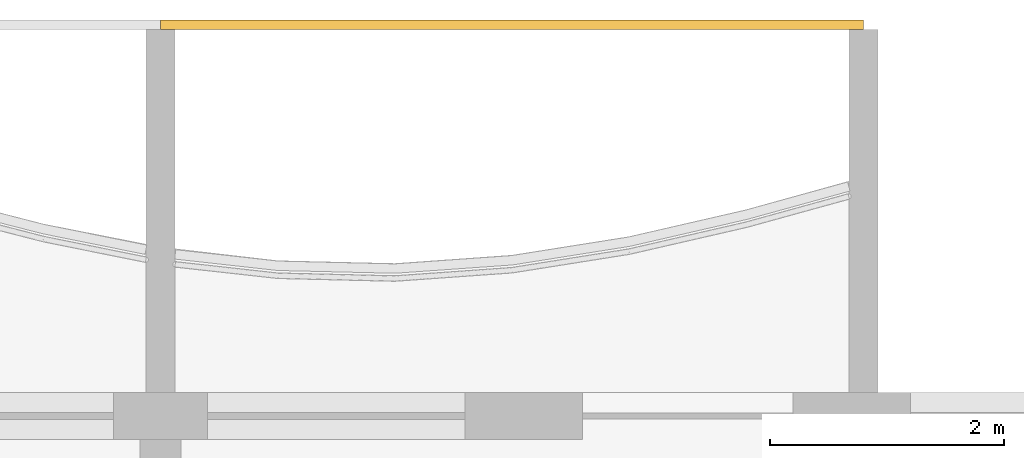
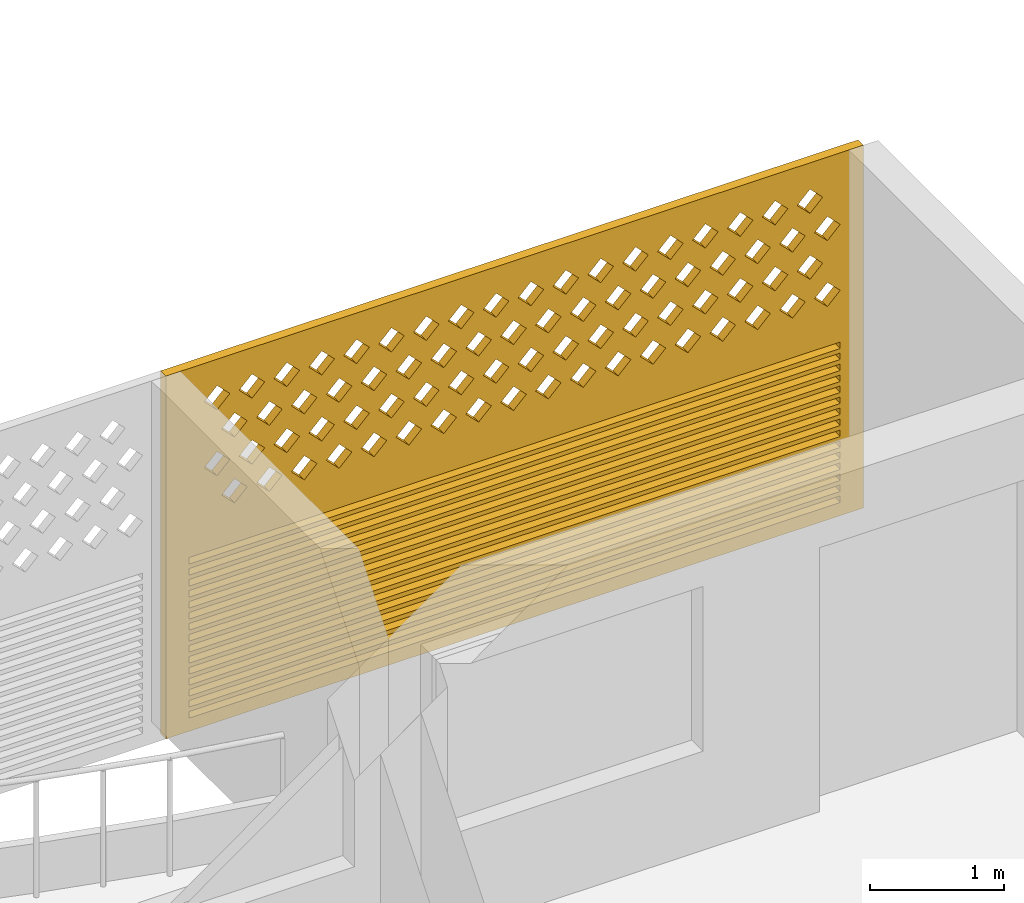
# One storey, part 21 of 24: 1 covering.
"""IFC4 building model written with IfcOpenShell, lengths in metres."""

from ifc_helpers import new_model, si_unit, direction, frame, origin, place, context, subcontext, project, spatial, polyline, outline, extrude, source, transform, mapped, material, material_profile, profile_set, type_object, element, save


model = new_model("IFC4")

# Units and contexts
model_context = context("Model", 3, precision=1e-05, world=origin(), true_north=direction((0.0, 1.0)))
body_context = subcontext(model_context, "Body", "Model", "MODEL_VIEW")
ifc_project = project(units=[si_unit("LENGTHUNIT", "METRE"), si_unit("AREAUNIT", "SQUARE_METRE"), si_unit("VOLUMEUNIT", "CUBIC_METRE"), si_unit("PLANEANGLEUNIT", "RADIAN"), si_unit("MASSUNIT", "GRAM", prefix="KILO")], contexts=[model_context])

# Site, building, storey
site_placement = place(None, origin())
site = spatial("IfcSite", under=ifc_project, at=site_placement, CompositionType="ELEMENT")
building_placement = place(site_placement, origin())
building = spatial("IfcBuilding", under=site, at=building_placement, Name="Poui Terraces", CompositionType="ELEMENT")
storey_placement = place(building_placement, frame((0.0, 0.0, 102.60009765625)))
storey = spatial("IfcBuildingStorey", under=building, at=storey_placement, Name="L28", CompositionType="ELEMENT", Elevation=102.60009765625)

# Covering
ifc_material = material(Name="Terracotta screen", Category="masonry")
ifc_material_profile = material_profile(ifc_material, outline(polyline([(-3.0, -1.64990234375), (3.0, -1.64990234375), (3.0, 1.64990234375), (-3.0, 1.64990234375), (-3.0, -1.64990234375)]), holes=[polyline([(-2.800048828125, 0.39990234375), (-2.68994140625, 0.2900390625), (-2.580078125, 0.39990234375), (-2.68994140625, 0.510009765625), (-2.800048828125, 0.39990234375)]), polyline([(-2.5, 0.39990234375), (-2.389892578125, 0.2900390625), (-2.280029296875, 0.39990234375), (-2.389892578125, 0.510009765625), (-2.5, 0.39990234375)]), polyline([(-2.199951171875, 0.39990234375), (-2.090087890625, 0.2900390625), (-1.97998046875, 0.39990234375), (-2.090087890625, 0.510009765625), (-2.199951171875, 0.39990234375)]), polyline([(-1.89990234375, 0.39990234375), (-1.7900390625, 0.2900390625), (-1.679931640625, 0.39990234375), (-1.7900390625, 0.510009765625), (-1.89990234375, 0.39990234375)]), polyline([(-1.60009765625, 0.39990234375), (-1.489990234375, 0.2900390625), (-1.3798828125, 0.39990234375), (-1.489990234375, 0.510009765625), (-1.60009765625, 0.39990234375)]), polyline([(-1.300048828125, 0.39990234375), (-1.18994140625, 0.2900390625), (-1.080078125, 0.39990234375), (-1.18994140625, 0.510009765625), (-1.300048828125, 0.39990234375)]), polyline([(-1.0, 0.39990234375), (-0.889892578125, 0.2900390625), (-0.780029296875, 0.39990234375), (-0.889892578125, 0.510009765625), (-1.0, 0.39990234375)]), polyline([(-0.699951171875, 0.39990234375), (-0.590087890625, 0.2900390625), (-0.47998046875, 0.39990234375), (-0.590087890625, 0.510009765625), (-0.699951171875, 0.39990234375)]), polyline([(-0.39990234375, 0.39990234375), (-0.2900390625, 0.2900390625), (-0.179931640625, 0.39990234375), (-0.2900390625, 0.510009765625), (-0.39990234375, 0.39990234375)]), polyline([(-0.10009765625, 0.39990234375), (0.010009765625, 0.2900390625), (0.1201171875, 0.39990234375), (0.010009765625, 0.510009765625), (-0.10009765625, 0.39990234375)]), polyline([(0.199951171875, 0.39990234375), (0.31005859375, 0.2900390625), (0.419921875, 0.39990234375), (0.31005859375, 0.510009765625), (0.199951171875, 0.39990234375)]), polyline([(0.5, 0.39990234375), (0.610107421875, 0.2900390625), (0.719970703125, 0.39990234375), (0.610107421875, 0.510009765625), (0.5, 0.39990234375)]), polyline([(0.800048828125, 0.39990234375), (0.909912109375, 0.2900390625), (1.02001953125, 0.39990234375), (0.909912109375, 0.510009765625), (0.800048828125, 0.39990234375)]), polyline([(1.10009765625, 0.39990234375), (1.2099609375, 0.2900390625), (1.320068359375, 0.39990234375), (1.2099609375, 0.510009765625), (1.10009765625, 0.39990234375)]), polyline([(1.39990234375, 0.39990234375), (1.510009765625, 0.2900390625), (1.6201171875, 0.39990234375), (1.510009765625, 0.510009765625), (1.39990234375, 0.39990234375)]), polyline([(1.699951171875, 0.39990234375), (1.81005859375, 0.2900390625), (1.919921875, 0.39990234375), (1.81005859375, 0.510009765625), (1.699951171875, 0.39990234375)]), polyline([(2.0, 0.39990234375), (2.110107421875, 0.2900390625), (2.219970703125, 0.39990234375), (2.110107421875, 0.510009765625), (2.0, 0.39990234375)]), polyline([(2.300048828125, 0.39990234375), (2.409912109375, 0.2900390625), (2.52001953125, 0.39990234375), (2.409912109375, 0.510009765625), (2.300048828125, 0.39990234375)]), polyline([(-2.64990234375, 0.699951171875), (-2.5400390625, 0.590087890625), (-2.429931640625, 0.699951171875), (-2.5400390625, 0.81005859375), (-2.64990234375, 0.699951171875)]), polyline([(-2.35009765625, 0.699951171875), (-2.239990234375, 0.590087890625), (-2.1298828125, 0.699951171875), (-2.239990234375, 0.81005859375), (-2.35009765625, 0.699951171875)]), polyline([(-2.050048828125, 0.699951171875), (-1.93994140625, 0.590087890625), (-1.830078125, 0.699951171875), (-1.93994140625, 0.81005859375), (-2.050048828125, 0.699951171875)]), polyline([(-1.75, 0.699951171875), (-1.639892578125, 0.590087890625), (-1.530029296875, 0.699951171875), (-1.639892578125, 0.81005859375), (-1.75, 0.699951171875)]), polyline([(-1.449951171875, 0.699951171875), (-1.340087890625, 0.590087890625), (-1.22998046875, 0.699951171875), (-1.340087890625, 0.81005859375), (-1.449951171875, 0.699951171875)]), polyline([(-1.14990234375, 0.699951171875), (-1.0400390625, 0.590087890625), (-0.929931640625, 0.699951171875), (-1.0400390625, 0.81005859375), (-1.14990234375, 0.699951171875)]), polyline([(-0.85009765625, 0.699951171875), (-0.739990234375, 0.590087890625), (-0.6298828125, 0.699951171875), (-0.739990234375, 0.81005859375), (-0.85009765625, 0.699951171875)]), polyline([(-0.550048828125, 0.699951171875), (-0.43994140625, 0.590087890625), (-0.330078125, 0.699951171875), (-0.43994140625, 0.81005859375), (-0.550048828125, 0.699951171875)]), polyline([(-0.25, 0.699951171875), (-0.139892578125, 0.590087890625), (-0.030029296875, 0.699951171875), (-0.139892578125, 0.81005859375), (-0.25, 0.699951171875)]), polyline([(0.050048828125, 0.699951171875), (0.159912109375, 0.590087890625), (0.27001953125, 0.699951171875), (0.159912109375, 0.81005859375), (0.050048828125, 0.699951171875)]), polyline([(0.35009765625, 0.699951171875), (0.4599609375, 0.590087890625), (0.570068359375, 0.699951171875), (0.4599609375, 0.81005859375), (0.35009765625, 0.699951171875)]), polyline([(0.64990234375, 0.699951171875), (0.760009765625, 0.590087890625), (0.8701171875, 0.699951171875), (0.760009765625, 0.81005859375), (0.64990234375, 0.699951171875)]), polyline([(0.949951171875, 0.699951171875), (1.06005859375, 0.590087890625), (1.169921875, 0.699951171875), (1.06005859375, 0.81005859375), (0.949951171875, 0.699951171875)]), polyline([(1.25, 0.699951171875), (1.360107421875, 0.590087890625), (1.469970703125, 0.699951171875), (1.360107421875, 0.81005859375), (1.25, 0.699951171875)]), polyline([(1.550048828125, 0.699951171875), (1.659912109375, 0.590087890625), (1.77001953125, 0.699951171875), (1.659912109375, 0.81005859375), (1.550048828125, 0.699951171875)]), polyline([(1.85009765625, 0.699951171875), (1.9599609375, 0.590087890625), (2.070068359375, 0.699951171875), (1.9599609375, 0.81005859375), (1.85009765625, 0.699951171875)]), polyline([(2.14990234375, 0.699951171875), (2.260009765625, 0.590087890625), (2.3701171875, 0.699951171875), (2.260009765625, 0.81005859375), (2.14990234375, 0.699951171875)]), polyline([(2.449951171875, 0.699951171875), (2.56005859375, 0.590087890625), (2.669921875, 0.699951171875), (2.56005859375, 0.81005859375), (2.449951171875, 0.699951171875)]), polyline([(-2.800048828125, 1.0), (-2.68994140625, 0.889892578125), (-2.580078125, 1.0), (-2.68994140625, 1.110107421875), (-2.800048828125, 1.0)]), polyline([(-2.5, 1.0), (-2.389892578125, 0.889892578125), (-2.280029296875, 1.0), (-2.389892578125, 1.110107421875), (-2.5, 1.0)]), polyline([(-2.199951171875, 1.0), (-2.090087890625, 0.889892578125), (-1.97998046875, 1.0), (-2.090087890625, 1.110107421875), (-2.199951171875, 1.0)]), polyline([(-1.89990234375, 1.0), (-1.7900390625, 0.889892578125), (-1.679931640625, 1.0), (-1.7900390625, 1.110107421875), (-1.89990234375, 1.0)]), polyline([(-1.60009765625, 1.0), (-1.489990234375, 0.889892578125), (-1.3798828125, 1.0), (-1.489990234375, 1.110107421875), (-1.60009765625, 1.0)]), polyline([(-1.300048828125, 1.0), (-1.18994140625, 0.889892578125), (-1.080078125, 1.0), (-1.18994140625, 1.110107421875), (-1.300048828125, 1.0)]), polyline([(-1.0, 1.0), (-0.889892578125, 0.889892578125), (-0.780029296875, 1.0), (-0.889892578125, 1.110107421875), (-1.0, 1.0)]), polyline([(-0.699951171875, 1.0), (-0.590087890625, 0.889892578125), (-0.47998046875, 1.0), (-0.590087890625, 1.110107421875), (-0.699951171875, 1.0)]), polyline([(-0.39990234375, 1.0), (-0.2900390625, 0.889892578125), (-0.179931640625, 1.0), (-0.2900390625, 1.110107421875), (-0.39990234375, 1.0)]), polyline([(-0.10009765625, 1.0), (0.010009765625, 0.889892578125), (0.1201171875, 1.0), (0.010009765625, 1.110107421875), (-0.10009765625, 1.0)]), polyline([(0.199951171875, 1.0), (0.31005859375, 0.889892578125), (0.419921875, 1.0), (0.31005859375, 1.110107421875), (0.199951171875, 1.0)]), polyline([(0.5, 1.0), (0.610107421875, 0.889892578125), (0.719970703125, 1.0), (0.610107421875, 1.110107421875), (0.5, 1.0)]), polyline([(0.800048828125, 1.0), (0.909912109375, 0.889892578125), (1.02001953125, 1.0), (0.909912109375, 1.110107421875), (0.800048828125, 1.0)]), polyline([(1.10009765625, 1.0), (1.2099609375, 0.889892578125), (1.320068359375, 1.0), (1.2099609375, 1.110107421875), (1.10009765625, 1.0)]), polyline([(1.39990234375, 1.0), (1.510009765625, 0.889892578125), (1.6201171875, 1.0), (1.510009765625, 1.110107421875), (1.39990234375, 1.0)]), polyline([(1.699951171875, 1.0), (1.81005859375, 0.889892578125), (1.919921875, 1.0), (1.81005859375, 1.110107421875), (1.699951171875, 1.0)]), polyline([(2.0, 1.0), (2.110107421875, 0.889892578125), (2.219970703125, 1.0), (2.110107421875, 1.110107421875), (2.0, 1.0)]), polyline([(2.300048828125, 1.0), (2.409912109375, 0.889892578125), (2.52001953125, 1.0), (2.409912109375, 1.110107421875), (2.300048828125, 1.0)]), polyline([(-2.64990234375, 1.300048828125), (-2.5400390625, 1.18994140625), (-2.429931640625, 1.300048828125), (-2.5400390625, 1.409912109375), (-2.64990234375, 1.300048828125)]), polyline([(-2.35009765625, 1.300048828125), (-2.239990234375, 1.18994140625), (-2.1298828125, 1.300048828125), (-2.239990234375, 1.409912109375), (-2.35009765625, 1.300048828125)]), polyline([(-2.050048828125, 1.300048828125), (-1.93994140625, 1.18994140625), (-1.830078125, 1.300048828125), (-1.93994140625, 1.409912109375), (-2.050048828125, 1.300048828125)]), polyline([(-1.75, 1.300048828125), (-1.639892578125, 1.18994140625), (-1.530029296875, 1.300048828125), (-1.639892578125, 1.409912109375), (-1.75, 1.300048828125)]), polyline([(-1.449951171875, 1.300048828125), (-1.340087890625, 1.18994140625), (-1.22998046875, 1.300048828125), (-1.340087890625, 1.409912109375), (-1.449951171875, 1.300048828125)]), polyline([(-1.14990234375, 1.300048828125), (-1.0400390625, 1.18994140625), (-0.929931640625, 1.300048828125), (-1.0400390625, 1.409912109375), (-1.14990234375, 1.300048828125)]), polyline([(-0.85009765625, 1.300048828125), (-0.739990234375, 1.18994140625), (-0.6298828125, 1.300048828125), (-0.739990234375, 1.409912109375), (-0.85009765625, 1.300048828125)]), polyline([(-0.550048828125, 1.300048828125), (-0.43994140625, 1.18994140625), (-0.330078125, 1.300048828125), (-0.43994140625, 1.409912109375), (-0.550048828125, 1.300048828125)]), polyline([(-0.25, 1.300048828125), (-0.139892578125, 1.18994140625), (-0.030029296875, 1.300048828125), (-0.139892578125, 1.409912109375), (-0.25, 1.300048828125)]), polyline([(0.050048828125, 1.300048828125), (0.159912109375, 1.18994140625), (0.27001953125, 1.300048828125), (0.159912109375, 1.409912109375), (0.050048828125, 1.300048828125)]), polyline([(0.35009765625, 1.300048828125), (0.4599609375, 1.18994140625), (0.570068359375, 1.300048828125), (0.4599609375, 1.409912109375), (0.35009765625, 1.300048828125)]), polyline([(0.64990234375, 1.300048828125), (0.760009765625, 1.18994140625), (0.8701171875, 1.300048828125), (0.760009765625, 1.409912109375), (0.64990234375, 1.300048828125)]), polyline([(0.949951171875, 1.300048828125), (1.06005859375, 1.18994140625), (1.169921875, 1.300048828125), (1.06005859375, 1.409912109375), (0.949951171875, 1.300048828125)]), polyline([(1.25, 1.300048828125), (1.360107421875, 1.18994140625), (1.469970703125, 1.300048828125), (1.360107421875, 1.409912109375), (1.25, 1.300048828125)]), polyline([(1.550048828125, 1.300048828125), (1.659912109375, 1.18994140625), (1.77001953125, 1.300048828125), (1.659912109375, 1.409912109375), (1.550048828125, 1.300048828125)]), polyline([(1.85009765625, 1.300048828125), (1.9599609375, 1.18994140625), (2.070068359375, 1.300048828125), (1.9599609375, 1.409912109375), (1.85009765625, 1.300048828125)]), polyline([(2.14990234375, 1.300048828125), (2.260009765625, 1.18994140625), (2.3701171875, 1.300048828125), (2.260009765625, 1.409912109375), (2.14990234375, 1.300048828125)]), polyline([(2.449951171875, 1.300048828125), (2.56005859375, 1.18994140625), (2.669921875, 1.300048828125), (2.56005859375, 1.409912109375), (2.449951171875, 1.300048828125)]), polyline([(-2.800048828125, -1.530029296875), (2.800048828125, -1.530029296875), (2.800048828125, -1.469970703125), (-2.800048828125, -1.469970703125), (-2.800048828125, -1.530029296875)]), polyline([(-2.800048828125, -1.429931640625), (2.800048828125, -1.429931640625), (2.800048828125, -1.3701171875), (-2.800048828125, -1.3701171875), (-2.800048828125, -1.429931640625)]), polyline([(-2.800048828125, -1.330078125), (2.800048828125, -1.330078125), (2.800048828125, -1.27001953125), (-2.800048828125, -1.27001953125), (-2.800048828125, -1.330078125)]), polyline([(-2.800048828125, -1.22998046875), (2.800048828125, -1.22998046875), (2.800048828125, -1.169921875), (-2.800048828125, -1.169921875), (-2.800048828125, -1.22998046875)]), polyline([(-2.800048828125, -1.1298828125), (2.800048828125, -1.1298828125), (2.800048828125, -1.070068359375), (-2.800048828125, -1.070068359375), (-2.800048828125, -1.1298828125)]), polyline([(-2.800048828125, -1.030029296875), (2.800048828125, -1.030029296875), (2.800048828125, -0.969970703125), (-2.800048828125, -0.969970703125), (-2.800048828125, -1.030029296875)]), polyline([(-2.800048828125, -0.929931640625), (2.800048828125, -0.929931640625), (2.800048828125, -0.8701171875), (-2.800048828125, -0.8701171875), (-2.800048828125, -0.929931640625)]), polyline([(-2.800048828125, -0.830078125), (2.800048828125, -0.830078125), (2.800048828125, -0.77001953125), (-2.800048828125, -0.77001953125), (-2.800048828125, -0.830078125)]), polyline([(-2.800048828125, -0.72998046875), (2.800048828125, -0.72998046875), (2.800048828125, -0.669921875), (-2.800048828125, -0.669921875), (-2.800048828125, -0.72998046875)]), polyline([(-2.800048828125, -0.6298828125), (2.800048828125, -0.6298828125), (2.800048828125, -0.570068359375), (-2.800048828125, -0.570068359375), (-2.800048828125, -0.6298828125)]), polyline([(-2.800048828125, -0.530029296875), (2.800048828125, -0.530029296875), (2.800048828125, -0.469970703125), (-2.800048828125, -0.469970703125), (-2.800048828125, -0.530029296875)]), polyline([(-2.800048828125, -0.429931640625), (2.800048828125, -0.429931640625), (2.800048828125, -0.3701171875), (-2.800048828125, -0.3701171875), (-2.800048828125, -0.429931640625)]), polyline([(-2.800048828125, -0.330078125), (2.800048828125, -0.330078125), (2.800048828125, -0.27001953125), (-2.800048828125, -0.27001953125), (-2.800048828125, -0.330078125)]), polyline([(-2.800048828125, -0.22998046875), (2.800048828125, -0.22998046875), (2.800048828125, -0.169921875), (-2.800048828125, -0.169921875), (-2.800048828125, -0.22998046875)]), polyline([(-2.800048828125, -0.1298828125), (2.800048828125, -0.1298828125), (2.800048828125, -0.070068359375), (-2.800048828125, -0.070068359375), (-2.800048828125, -0.1298828125)])]), Name="TERRACOTTA SCREEN AND JALOUSIE LOUVRE 6000X3300")
ifc_profile_set = profile_set([ifc_material_profile], Name="Terracotta screen")
covering_type = type_object("IfcCoveringType", Name="TERRACOTTA SCREEN AND JALOUSIE LOUVRE 6000X3300", PredefinedType="CLADDING", material=ifc_profile_set)
shared_shape = source(origin(), body_context, "Body", "SweptSolid", [
    extrude(outline(polyline([(-3.0, -1.64990234375), (3.0, -1.64990234375), (3.0, 1.64990234375), (-3.0, 1.64990234375), (-3.0, -1.64990234375)]), holes=[polyline([(-2.800048828125, 0.39990234375), (-2.68994140625, 0.2900390625), (-2.580078125, 0.39990234375), (-2.68994140625, 0.510009765625), (-2.800048828125, 0.39990234375)]), polyline([(-2.5, 0.39990234375), (-2.389892578125, 0.2900390625), (-2.280029296875, 0.39990234375), (-2.389892578125, 0.510009765625), (-2.5, 0.39990234375)]), polyline([(-2.199951171875, 0.39990234375), (-2.090087890625, 0.2900390625), (-1.97998046875, 0.39990234375), (-2.090087890625, 0.510009765625), (-2.199951171875, 0.39990234375)]), polyline([(-1.89990234375, 0.39990234375), (-1.7900390625, 0.2900390625), (-1.679931640625, 0.39990234375), (-1.7900390625, 0.510009765625), (-1.89990234375, 0.39990234375)]), polyline([(-1.60009765625, 0.39990234375), (-1.489990234375, 0.2900390625), (-1.3798828125, 0.39990234375), (-1.489990234375, 0.510009765625), (-1.60009765625, 0.39990234375)]), polyline([(-1.300048828125, 0.39990234375), (-1.18994140625, 0.2900390625), (-1.080078125, 0.39990234375), (-1.18994140625, 0.510009765625), (-1.300048828125, 0.39990234375)]), polyline([(-1.0, 0.39990234375), (-0.889892578125, 0.2900390625), (-0.780029296875, 0.39990234375), (-0.889892578125, 0.510009765625), (-1.0, 0.39990234375)]), polyline([(-0.699951171875, 0.39990234375), (-0.590087890625, 0.2900390625), (-0.47998046875, 0.39990234375), (-0.590087890625, 0.510009765625), (-0.699951171875, 0.39990234375)]), polyline([(-0.39990234375, 0.39990234375), (-0.2900390625, 0.2900390625), (-0.179931640625, 0.39990234375), (-0.2900390625, 0.510009765625), (-0.39990234375, 0.39990234375)]), polyline([(-0.10009765625, 0.39990234375), (0.010009765625, 0.2900390625), (0.1201171875, 0.39990234375), (0.010009765625, 0.510009765625), (-0.10009765625, 0.39990234375)]), polyline([(0.199951171875, 0.39990234375), (0.31005859375, 0.2900390625), (0.419921875, 0.39990234375), (0.31005859375, 0.510009765625), (0.199951171875, 0.39990234375)]), polyline([(0.5, 0.39990234375), (0.610107421875, 0.2900390625), (0.719970703125, 0.39990234375), (0.610107421875, 0.510009765625), (0.5, 0.39990234375)]), polyline([(0.800048828125, 0.39990234375), (0.909912109375, 0.2900390625), (1.02001953125, 0.39990234375), (0.909912109375, 0.510009765625), (0.800048828125, 0.39990234375)]), polyline([(1.10009765625, 0.39990234375), (1.2099609375, 0.2900390625), (1.320068359375, 0.39990234375), (1.2099609375, 0.510009765625), (1.10009765625, 0.39990234375)]), polyline([(1.39990234375, 0.39990234375), (1.510009765625, 0.2900390625), (1.6201171875, 0.39990234375), (1.510009765625, 0.510009765625), (1.39990234375, 0.39990234375)]), polyline([(1.699951171875, 0.39990234375), (1.81005859375, 0.2900390625), (1.919921875, 0.39990234375), (1.81005859375, 0.510009765625), (1.699951171875, 0.39990234375)]), polyline([(2.0, 0.39990234375), (2.110107421875, 0.2900390625), (2.219970703125, 0.39990234375), (2.110107421875, 0.510009765625), (2.0, 0.39990234375)]), polyline([(2.300048828125, 0.39990234375), (2.409912109375, 0.2900390625), (2.52001953125, 0.39990234375), (2.409912109375, 0.510009765625), (2.300048828125, 0.39990234375)]), polyline([(-2.64990234375, 0.699951171875), (-2.5400390625, 0.590087890625), (-2.429931640625, 0.699951171875), (-2.5400390625, 0.81005859375), (-2.64990234375, 0.699951171875)]), polyline([(-2.35009765625, 0.699951171875), (-2.239990234375, 0.590087890625), (-2.1298828125, 0.699951171875), (-2.239990234375, 0.81005859375), (-2.35009765625, 0.699951171875)]), polyline([(-2.050048828125, 0.699951171875), (-1.93994140625, 0.590087890625), (-1.830078125, 0.699951171875), (-1.93994140625, 0.81005859375), (-2.050048828125, 0.699951171875)]), polyline([(-1.75, 0.699951171875), (-1.639892578125, 0.590087890625), (-1.530029296875, 0.699951171875), (-1.639892578125, 0.81005859375), (-1.75, 0.699951171875)]), polyline([(-1.449951171875, 0.699951171875), (-1.340087890625, 0.590087890625), (-1.22998046875, 0.699951171875), (-1.340087890625, 0.81005859375), (-1.449951171875, 0.699951171875)]), polyline([(-1.14990234375, 0.699951171875), (-1.0400390625, 0.590087890625), (-0.929931640625, 0.699951171875), (-1.0400390625, 0.81005859375), (-1.14990234375, 0.699951171875)]), polyline([(-0.85009765625, 0.699951171875), (-0.739990234375, 0.590087890625), (-0.6298828125, 0.699951171875), (-0.739990234375, 0.81005859375), (-0.85009765625, 0.699951171875)]), polyline([(-0.550048828125, 0.699951171875), (-0.43994140625, 0.590087890625), (-0.330078125, 0.699951171875), (-0.43994140625, 0.81005859375), (-0.550048828125, 0.699951171875)]), polyline([(-0.25, 0.699951171875), (-0.139892578125, 0.590087890625), (-0.030029296875, 0.699951171875), (-0.139892578125, 0.81005859375), (-0.25, 0.699951171875)]), polyline([(0.050048828125, 0.699951171875), (0.159912109375, 0.590087890625), (0.27001953125, 0.699951171875), (0.159912109375, 0.81005859375), (0.050048828125, 0.699951171875)]), polyline([(0.35009765625, 0.699951171875), (0.4599609375, 0.590087890625), (0.570068359375, 0.699951171875), (0.4599609375, 0.81005859375), (0.35009765625, 0.699951171875)]), polyline([(0.64990234375, 0.699951171875), (0.760009765625, 0.590087890625), (0.8701171875, 0.699951171875), (0.760009765625, 0.81005859375), (0.64990234375, 0.699951171875)]), polyline([(0.949951171875, 0.699951171875), (1.06005859375, 0.590087890625), (1.169921875, 0.699951171875), (1.06005859375, 0.81005859375), (0.949951171875, 0.699951171875)]), polyline([(1.25, 0.699951171875), (1.360107421875, 0.590087890625), (1.469970703125, 0.699951171875), (1.360107421875, 0.81005859375), (1.25, 0.699951171875)]), polyline([(1.550048828125, 0.699951171875), (1.659912109375, 0.590087890625), (1.77001953125, 0.699951171875), (1.659912109375, 0.81005859375), (1.550048828125, 0.699951171875)]), polyline([(1.85009765625, 0.699951171875), (1.9599609375, 0.590087890625), (2.070068359375, 0.699951171875), (1.9599609375, 0.81005859375), (1.85009765625, 0.699951171875)]), polyline([(2.14990234375, 0.699951171875), (2.260009765625, 0.590087890625), (2.3701171875, 0.699951171875), (2.260009765625, 0.81005859375), (2.14990234375, 0.699951171875)]), polyline([(2.449951171875, 0.699951171875), (2.56005859375, 0.590087890625), (2.669921875, 0.699951171875), (2.56005859375, 0.81005859375), (2.449951171875, 0.699951171875)]), polyline([(-2.800048828125, 1.0), (-2.68994140625, 0.889892578125), (-2.580078125, 1.0), (-2.68994140625, 1.110107421875), (-2.800048828125, 1.0)]), polyline([(-2.5, 1.0), (-2.389892578125, 0.889892578125), (-2.280029296875, 1.0), (-2.389892578125, 1.110107421875), (-2.5, 1.0)]), polyline([(-2.199951171875, 1.0), (-2.090087890625, 0.889892578125), (-1.97998046875, 1.0), (-2.090087890625, 1.110107421875), (-2.199951171875, 1.0)]), polyline([(-1.89990234375, 1.0), (-1.7900390625, 0.889892578125), (-1.679931640625, 1.0), (-1.7900390625, 1.110107421875), (-1.89990234375, 1.0)]), polyline([(-1.60009765625, 1.0), (-1.489990234375, 0.889892578125), (-1.3798828125, 1.0), (-1.489990234375, 1.110107421875), (-1.60009765625, 1.0)]), polyline([(-1.300048828125, 1.0), (-1.18994140625, 0.889892578125), (-1.080078125, 1.0), (-1.18994140625, 1.110107421875), (-1.300048828125, 1.0)]), polyline([(-1.0, 1.0), (-0.889892578125, 0.889892578125), (-0.780029296875, 1.0), (-0.889892578125, 1.110107421875), (-1.0, 1.0)]), polyline([(-0.699951171875, 1.0), (-0.590087890625, 0.889892578125), (-0.47998046875, 1.0), (-0.590087890625, 1.110107421875), (-0.699951171875, 1.0)]), polyline([(-0.39990234375, 1.0), (-0.2900390625, 0.889892578125), (-0.179931640625, 1.0), (-0.2900390625, 1.110107421875), (-0.39990234375, 1.0)]), polyline([(-0.10009765625, 1.0), (0.010009765625, 0.889892578125), (0.1201171875, 1.0), (0.010009765625, 1.110107421875), (-0.10009765625, 1.0)]), polyline([(0.199951171875, 1.0), (0.31005859375, 0.889892578125), (0.419921875, 1.0), (0.31005859375, 1.110107421875), (0.199951171875, 1.0)]), polyline([(0.5, 1.0), (0.610107421875, 0.889892578125), (0.719970703125, 1.0), (0.610107421875, 1.110107421875), (0.5, 1.0)]), polyline([(0.800048828125, 1.0), (0.909912109375, 0.889892578125), (1.02001953125, 1.0), (0.909912109375, 1.110107421875), (0.800048828125, 1.0)]), polyline([(1.10009765625, 1.0), (1.2099609375, 0.889892578125), (1.320068359375, 1.0), (1.2099609375, 1.110107421875), (1.10009765625, 1.0)]), polyline([(1.39990234375, 1.0), (1.510009765625, 0.889892578125), (1.6201171875, 1.0), (1.510009765625, 1.110107421875), (1.39990234375, 1.0)]), polyline([(1.699951171875, 1.0), (1.81005859375, 0.889892578125), (1.919921875, 1.0), (1.81005859375, 1.110107421875), (1.699951171875, 1.0)]), polyline([(2.0, 1.0), (2.110107421875, 0.889892578125), (2.219970703125, 1.0), (2.110107421875, 1.110107421875), (2.0, 1.0)]), polyline([(2.300048828125, 1.0), (2.409912109375, 0.889892578125), (2.52001953125, 1.0), (2.409912109375, 1.110107421875), (2.300048828125, 1.0)]), polyline([(-2.64990234375, 1.300048828125), (-2.5400390625, 1.18994140625), (-2.429931640625, 1.300048828125), (-2.5400390625, 1.409912109375), (-2.64990234375, 1.300048828125)]), polyline([(-2.35009765625, 1.300048828125), (-2.239990234375, 1.18994140625), (-2.1298828125, 1.300048828125), (-2.239990234375, 1.409912109375), (-2.35009765625, 1.300048828125)]), polyline([(-2.050048828125, 1.300048828125), (-1.93994140625, 1.18994140625), (-1.830078125, 1.300048828125), (-1.93994140625, 1.409912109375), (-2.050048828125, 1.300048828125)]), polyline([(-1.75, 1.300048828125), (-1.639892578125, 1.18994140625), (-1.530029296875, 1.300048828125), (-1.639892578125, 1.409912109375), (-1.75, 1.300048828125)]), polyline([(-1.449951171875, 1.300048828125), (-1.340087890625, 1.18994140625), (-1.22998046875, 1.300048828125), (-1.340087890625, 1.409912109375), (-1.449951171875, 1.300048828125)]), polyline([(-1.14990234375, 1.300048828125), (-1.0400390625, 1.18994140625), (-0.929931640625, 1.300048828125), (-1.0400390625, 1.409912109375), (-1.14990234375, 1.300048828125)]), polyline([(-0.85009765625, 1.300048828125), (-0.739990234375, 1.18994140625), (-0.6298828125, 1.300048828125), (-0.739990234375, 1.409912109375), (-0.85009765625, 1.300048828125)]), polyline([(-0.550048828125, 1.300048828125), (-0.43994140625, 1.18994140625), (-0.330078125, 1.300048828125), (-0.43994140625, 1.409912109375), (-0.550048828125, 1.300048828125)]), polyline([(-0.25, 1.300048828125), (-0.139892578125, 1.18994140625), (-0.030029296875, 1.300048828125), (-0.139892578125, 1.409912109375), (-0.25, 1.300048828125)]), polyline([(0.050048828125, 1.300048828125), (0.159912109375, 1.18994140625), (0.27001953125, 1.300048828125), (0.159912109375, 1.409912109375), (0.050048828125, 1.300048828125)]), polyline([(0.35009765625, 1.300048828125), (0.4599609375, 1.18994140625), (0.570068359375, 1.300048828125), (0.4599609375, 1.409912109375), (0.35009765625, 1.300048828125)]), polyline([(0.64990234375, 1.300048828125), (0.760009765625, 1.18994140625), (0.8701171875, 1.300048828125), (0.760009765625, 1.409912109375), (0.64990234375, 1.300048828125)]), polyline([(0.949951171875, 1.300048828125), (1.06005859375, 1.18994140625), (1.169921875, 1.300048828125), (1.06005859375, 1.409912109375), (0.949951171875, 1.300048828125)]), polyline([(1.25, 1.300048828125), (1.360107421875, 1.18994140625), (1.469970703125, 1.300048828125), (1.360107421875, 1.409912109375), (1.25, 1.300048828125)]), polyline([(1.550048828125, 1.300048828125), (1.659912109375, 1.18994140625), (1.77001953125, 1.300048828125), (1.659912109375, 1.409912109375), (1.550048828125, 1.300048828125)]), polyline([(1.85009765625, 1.300048828125), (1.9599609375, 1.18994140625), (2.070068359375, 1.300048828125), (1.9599609375, 1.409912109375), (1.85009765625, 1.300048828125)]), polyline([(2.14990234375, 1.300048828125), (2.260009765625, 1.18994140625), (2.3701171875, 1.300048828125), (2.260009765625, 1.409912109375), (2.14990234375, 1.300048828125)]), polyline([(2.449951171875, 1.300048828125), (2.56005859375, 1.18994140625), (2.669921875, 1.300048828125), (2.56005859375, 1.409912109375), (2.449951171875, 1.300048828125)]), polyline([(-2.800048828125, -1.530029296875), (2.800048828125, -1.530029296875), (2.800048828125, -1.469970703125), (-2.800048828125, -1.469970703125), (-2.800048828125, -1.530029296875)]), polyline([(-2.800048828125, -1.429931640625), (2.800048828125, -1.429931640625), (2.800048828125, -1.3701171875), (-2.800048828125, -1.3701171875), (-2.800048828125, -1.429931640625)]), polyline([(-2.800048828125, -1.330078125), (2.800048828125, -1.330078125), (2.800048828125, -1.27001953125), (-2.800048828125, -1.27001953125), (-2.800048828125, -1.330078125)]), polyline([(-2.800048828125, -1.22998046875), (2.800048828125, -1.22998046875), (2.800048828125, -1.169921875), (-2.800048828125, -1.169921875), (-2.800048828125, -1.22998046875)]), polyline([(-2.800048828125, -1.1298828125), (2.800048828125, -1.1298828125), (2.800048828125, -1.070068359375), (-2.800048828125, -1.070068359375), (-2.800048828125, -1.1298828125)]), polyline([(-2.800048828125, -1.030029296875), (2.800048828125, -1.030029296875), (2.800048828125, -0.969970703125), (-2.800048828125, -0.969970703125), (-2.800048828125, -1.030029296875)]), polyline([(-2.800048828125, -0.929931640625), (2.800048828125, -0.929931640625), (2.800048828125, -0.8701171875), (-2.800048828125, -0.8701171875), (-2.800048828125, -0.929931640625)]), polyline([(-2.800048828125, -0.830078125), (2.800048828125, -0.830078125), (2.800048828125, -0.77001953125), (-2.800048828125, -0.77001953125), (-2.800048828125, -0.830078125)]), polyline([(-2.800048828125, -0.72998046875), (2.800048828125, -0.72998046875), (2.800048828125, -0.669921875), (-2.800048828125, -0.669921875), (-2.800048828125, -0.72998046875)]), polyline([(-2.800048828125, -0.6298828125), (2.800048828125, -0.6298828125), (2.800048828125, -0.570068359375), (-2.800048828125, -0.570068359375), (-2.800048828125, -0.6298828125)]), polyline([(-2.800048828125, -0.530029296875), (2.800048828125, -0.530029296875), (2.800048828125, -0.469970703125), (-2.800048828125, -0.469970703125), (-2.800048828125, -0.530029296875)]), polyline([(-2.800048828125, -0.429931640625), (2.800048828125, -0.429931640625), (2.800048828125, -0.3701171875), (-2.800048828125, -0.3701171875), (-2.800048828125, -0.429931640625)]), polyline([(-2.800048828125, -0.330078125), (2.800048828125, -0.330078125), (2.800048828125, -0.27001953125), (-2.800048828125, -0.27001953125), (-2.800048828125, -0.330078125)]), polyline([(-2.800048828125, -0.22998046875), (2.800048828125, -0.22998046875), (2.800048828125, -0.169921875), (-2.800048828125, -0.169921875), (-2.800048828125, -0.22998046875)]), polyline([(-2.800048828125, -0.1298828125), (2.800048828125, -0.1298828125), (2.800048828125, -0.070068359375), (-2.800048828125, -0.070068359375), (-2.800048828125, -0.1298828125)])]), origin(), (0.0, 0.0, 1.0), 0.080078125),
])
covering_placement = place(storey_placement, frame((63.0, 46.89990234375, 1.449951171875), z_axis=(0.0, 1.0, 0.0), x_axis=(-1.0, 0.0, 0.0)))
element("IfcCovering", 1, at=covering_placement, inside=storey, type_object=covering_type, Name="SOLAR SCREEN AND JALOUSIE LOUVRE", PredefinedType="CLADDING", context=body_context, shape_type="MappedRepresentation", body=[
    mapped(shared_shape, transform((0.0, 0.0, 0.0))),
])

save(model, "model.ifc")
